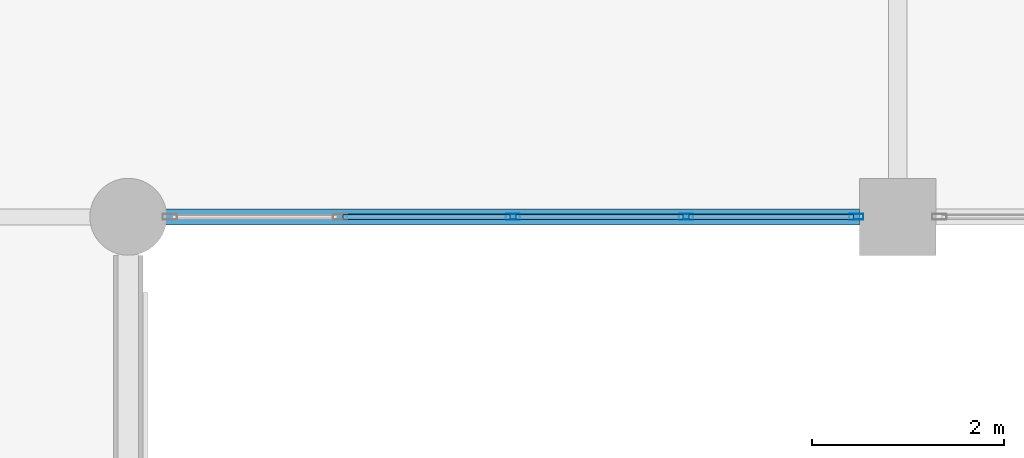
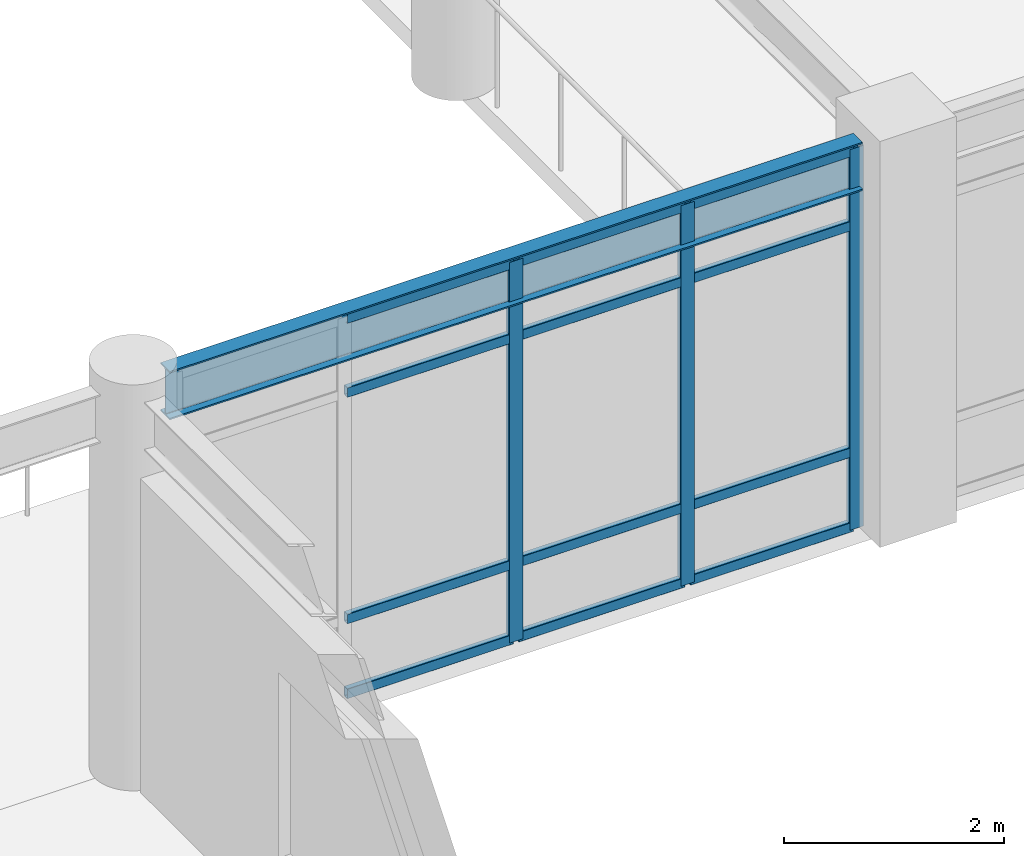
# One storey, part 23 of 93: 15 members, 1 beam, 1 element without a shape of its own.
"""IFC4 building model written with IfcOpenShell, lengths in metres."""

from ifc_helpers import new_model, si_unit, direction, frame, origin, origin_2d, place, context, subcontext, project, spatial, hollow_rectangle, i_section, extrude, material, material_profile, profile_set, type_object, element, aggregate, save


model = new_model("IFC4")

# Units and contexts
model_context = context("Model", 3, precision=1e-05, world=origin(), true_north=direction((0.0, 1.0)))
body_context = subcontext(model_context, "Body", "Model", "MODEL_VIEW")
ifc_project = project(units=[si_unit("LENGTHUNIT", "METRE"), si_unit("AREAUNIT", "SQUARE_METRE"), si_unit("VOLUMEUNIT", "CUBIC_METRE"), si_unit("PLANEANGLEUNIT", "RADIAN"), si_unit("MASSUNIT", "GRAM", prefix="KILO")], contexts=[model_context])

# Site, building, storey
site_placement = place(None, origin())
site = spatial("IfcSite", under=ifc_project, at=site_placement, CompositionType="ELEMENT")
building_placement = place(site_placement, origin())
building = spatial("IfcBuilding", under=site, at=building_placement, Name="Solmirada Galleria", CompositionType="ELEMENT")
storey_placement = place(building_placement, frame((0.0, 0.0, 14.89990234375)))
storey = spatial("IfcBuildingStorey", under=building, at=storey_placement, Name="L03", CompositionType="ELEMENT", Elevation=14.89990234375)

# Beam
ifc_material_1 = material(Name="Steel S355 / ASTM A992 Grade 50", Category="steel")
ifc_material_profile_1 = material_profile(ifc_material_1, i_section(OverallWidth=0.1669921875, OverallDepth=0.534912109375, WebThickness=0.01025390625, FlangeThickness=0.0166015625, FilletRadius=0.013916015625, at=origin_2d()), Name="W21X57")
ifc_profile_set_1 = profile_set([ifc_material_profile_1], Name="Steel S355 / ASTM A992 Grade 50")
beam_type = type_object("IfcBeamType", Name="BM-GIRD-W21C", PredefinedType="BEAM", material=ifc_profile_set_1)
beam_placement = place(storey_placement, frame((96.3359375, 48.0, 4.03271484375), z_axis=(1.0, 0.0, 0.0), x_axis=(0.0, 1.0, 0.0)))
element("IfcBeam", 1, at=beam_placement, inside=storey, type_object=beam_type, Name="Primary beam L04 X(96..104, 48)", PredefinedType="BEAM", context=body_context, shape_type="SweptSolid", body=[
    extrude(i_section(OverallWidth=0.1669921875, OverallDepth=0.534912109375, WebThickness=0.01025390625, FlangeThickness=0.0166015625, FilletRadius=0.013916015625, at=origin_2d()), origin(), (0.0, 0.0, 1.0), 7.26416015625),
])

# Curtain wall, members
ifc_material_2 = material(Name="Impact-resistant low-E double glazing", Category="glass")
curtain_wall_type = type_object("IfcCurtainWallType", Name="CW-FZ3-L03-B4-L072", PredefinedType="NOTDEFINED", material=ifc_material_2)
curtain_wall_placement = place(storey_placement, origin())
curtain_wall = element("IfcCurtainWall", 2, at=curtain_wall_placement, inside=storey, type_object=curtain_wall_type, Name="Terrace and arcade storefront CW-L03-135", PredefinedType="NOTDEFINED")
ifc_material_3 = material(Name="Anodised aluminium framing", Category="aluminium")
ifc_material_profile_2 = material_profile(ifc_material_3, hollow_rectangle(XDim=0.06005859375, YDim=0.14990234375, WallThickness=0.00341796875, InnerFilletRadius=0.00341796875, OuterFilletRadius=0.007080078125, at=origin_2d()), Name="ALU-MULL-150X60")
ifc_profile_set_2 = profile_set([ifc_material_profile_2], Name="Anodised aluminium framing")
member_type_1 = type_object("IfcMemberType", Name="CW-MULL-150", PredefinedType="MULLION", material=ifc_profile_set_2)
member_1_placement = place(storey_placement, frame((103.568115234375, 48.0, 0.0), z_axis=(0.0, 0.0, 1.0), x_axis=(0.0, -1.0, 0.0)))
member_1 = element("IfcMember", 3, at=member_1_placement, type_object=member_type_1, Name="CW27 mullion 1", PredefinedType="MULLION", context=body_context, shape_type="SweptSolid", body=[
    extrude(hollow_rectangle(XDim=0.06005859375, YDim=0.14990234375, WallThickness=0.00341796875, InnerFilletRadius=0.00341796875, OuterFilletRadius=0.007080078125, at=origin_2d()), origin(), (0.0, 0.0, 1.0), 4.22021484375),
])
member_2_placement = place(storey_placement, frame((101.799072265625, 48.0, 0.0), z_axis=(0.0, 0.0, 1.0), x_axis=(0.0, -1.0, 0.0)))
member_2 = element("IfcMember", 4, at=member_2_placement, type_object=member_type_1, Name="CW27 mullion 2", PredefinedType="MULLION", context=body_context, shape_type="SweptSolid", body=[
    extrude(hollow_rectangle(XDim=0.06005859375, YDim=0.14990234375, WallThickness=0.00341796875, InnerFilletRadius=0.00341796875, OuterFilletRadius=0.007080078125, at=origin_2d()), origin(), (0.0, 0.0, 1.0), 4.22021484375),
])
member_3_placement = place(storey_placement, frame((100.0, 48.0, 0.0), z_axis=(0.0, 0.0, 1.0), x_axis=(0.0, -1.0, 0.0)))
member_3 = element("IfcMember", 5, at=member_3_placement, type_object=member_type_1, Name="CW27 mullion 3", PredefinedType="MULLION", context=body_context, shape_type="SweptSolid", body=[
    extrude(hollow_rectangle(XDim=0.06005859375, YDim=0.14990234375, WallThickness=0.00341796875, InnerFilletRadius=0.00341796875, OuterFilletRadius=0.007080078125, at=origin_2d()), origin(), (0.0, 0.0, 1.0), 4.22021484375),
])
ifc_material_profile_3 = material_profile(ifc_material_3, hollow_rectangle(XDim=0.06005859375, YDim=0.110107421875, WallThickness=0.003173828125, InnerFilletRadius=0.003173828125, OuterFilletRadius=0.00634765625, at=origin_2d()), Name="ALU-TRAN-110X60")
ifc_profile_set_3 = profile_set([ifc_material_profile_3], Name="Anodised aluminium framing")
member_type_2 = type_object("IfcMemberType", Name="CW-TRAN-110", PredefinedType="USERDEFINED", material=ifc_profile_set_3)
member_4_placement = place(storey_placement, frame((103.5380859375, 48.0, 0.030029296875), z_axis=(-1.0, 0.0, 0.0), x_axis=(0.0, -1.0, 0.0)))
member_4 = element("IfcMember", 6, at=member_4_placement, type_object=member_type_2, Name="CW27 transom 1.1", ObjectType="TRANSOM", PredefinedType="USERDEFINED", context=body_context, shape_type="SweptSolid", body=[
    extrude(hollow_rectangle(XDim=0.06005859375, YDim=0.110107421875, WallThickness=0.003173828125, InnerFilletRadius=0.003173828125, OuterFilletRadius=0.00634765625, at=origin_2d()), origin(), (0.0, 0.0, 1.0), 1.708984375),
])
member_5_placement = place(storey_placement, frame((103.5380859375, 48.0, 0.860107421875), z_axis=(-1.0, 0.0, 0.0), x_axis=(0.0, -1.0, 0.0)))
member_5 = element("IfcMember", 7, at=member_5_placement, type_object=member_type_2, Name="CW27 transom 1.2", ObjectType="TRANSOM", PredefinedType="USERDEFINED", context=body_context, shape_type="SweptSolid", body=[
    extrude(hollow_rectangle(XDim=0.06005859375, YDim=0.110107421875, WallThickness=0.003173828125, InnerFilletRadius=0.003173828125, OuterFilletRadius=0.00634765625, at=origin_2d()), origin(), (0.0, 0.0, 1.0), 1.708984375),
])
member_6_placement = place(storey_placement, frame((103.5380859375, 48.0, 3.3701171875), z_axis=(-1.0, 0.0, 0.0), x_axis=(0.0, -1.0, 0.0)))
member_6 = element("IfcMember", 8, at=member_6_placement, type_object=member_type_2, Name="CW27 transom 1.3", ObjectType="TRANSOM", PredefinedType="USERDEFINED", context=body_context, shape_type="SweptSolid", body=[
    extrude(hollow_rectangle(XDim=0.06005859375, YDim=0.110107421875, WallThickness=0.003173828125, InnerFilletRadius=0.003173828125, OuterFilletRadius=0.00634765625, at=origin_2d()), origin(), (0.0, 0.0, 1.0), 1.708984375),
])
member_7_placement = place(storey_placement, frame((103.5380859375, 48.0, 4.190185546875), z_axis=(-1.0, 0.0, 0.0), x_axis=(0.0, -1.0, 0.0)))
member_7 = element("IfcMember", 9, at=member_7_placement, type_object=member_type_2, Name="CW27 transom 1.4", ObjectType="TRANSOM", PredefinedType="USERDEFINED", context=body_context, shape_type="SweptSolid", body=[
    extrude(hollow_rectangle(XDim=0.06005859375, YDim=0.110107421875, WallThickness=0.003173828125, InnerFilletRadius=0.003173828125, OuterFilletRadius=0.00634765625, at=origin_2d()), origin(), (0.0, 0.0, 1.0), 1.708984375),
])
member_8_placement = place(storey_placement, frame((101.76904296875, 48.0, 0.030029296875), z_axis=(-1.0, 0.0, 0.0), x_axis=(0.0, -1.0, 0.0)))
member_8 = element("IfcMember", 10, at=member_8_placement, type_object=member_type_2, Name="CW27 transom 2.1", ObjectType="TRANSOM", PredefinedType="USERDEFINED", context=body_context, shape_type="SweptSolid", body=[
    extrude(hollow_rectangle(XDim=0.06005859375, YDim=0.110107421875, WallThickness=0.003173828125, InnerFilletRadius=0.003173828125, OuterFilletRadius=0.00634765625, at=origin_2d()), origin(), (0.0, 0.0, 1.0), 1.739013671875),
])
member_9_placement = place(storey_placement, frame((101.76904296875, 48.0, 0.860107421875), z_axis=(-1.0, 0.0, 0.0), x_axis=(0.0, -1.0, 0.0)))
member_9 = element("IfcMember", 11, at=member_9_placement, type_object=member_type_2, Name="CW27 transom 2.2", ObjectType="TRANSOM", PredefinedType="USERDEFINED", context=body_context, shape_type="SweptSolid", body=[
    extrude(hollow_rectangle(XDim=0.06005859375, YDim=0.110107421875, WallThickness=0.003173828125, InnerFilletRadius=0.003173828125, OuterFilletRadius=0.00634765625, at=origin_2d()), origin(), (0.0, 0.0, 1.0), 1.739013671875),
])
member_10_placement = place(storey_placement, frame((101.76904296875, 48.0, 3.3701171875), z_axis=(-1.0, 0.0, 0.0), x_axis=(0.0, -1.0, 0.0)))
member_10 = element("IfcMember", 12, at=member_10_placement, type_object=member_type_2, Name="CW27 transom 2.3", ObjectType="TRANSOM", PredefinedType="USERDEFINED", context=body_context, shape_type="SweptSolid", body=[
    extrude(hollow_rectangle(XDim=0.06005859375, YDim=0.110107421875, WallThickness=0.003173828125, InnerFilletRadius=0.003173828125, OuterFilletRadius=0.00634765625, at=origin_2d()), origin(), (0.0, 0.0, 1.0), 1.739013671875),
])
member_11_placement = place(storey_placement, frame((101.76904296875, 48.0, 4.190185546875), z_axis=(-1.0, 0.0, 0.0), x_axis=(0.0, -1.0, 0.0)))
member_11 = element("IfcMember", 13, at=member_11_placement, type_object=member_type_2, Name="CW27 transom 2.4", ObjectType="TRANSOM", PredefinedType="USERDEFINED", context=body_context, shape_type="SweptSolid", body=[
    extrude(hollow_rectangle(XDim=0.06005859375, YDim=0.110107421875, WallThickness=0.003173828125, InnerFilletRadius=0.003173828125, OuterFilletRadius=0.00634765625, at=origin_2d()), origin(), (0.0, 0.0, 1.0), 1.739013671875),
])
member_12_placement = place(storey_placement, frame((99.969970703125, 48.0, 0.030029296875), z_axis=(-1.0, 0.0, 0.0), x_axis=(0.0, -1.0, 0.0)))
member_12 = element("IfcMember", 14, at=member_12_placement, type_object=member_type_2, Name="CW27 transom 3.1", ObjectType="TRANSOM", PredefinedType="USERDEFINED", context=body_context, shape_type="SweptSolid", body=[
    extrude(hollow_rectangle(XDim=0.06005859375, YDim=0.110107421875, WallThickness=0.003173828125, InnerFilletRadius=0.003173828125, OuterFilletRadius=0.00634765625, at=origin_2d()), origin(), (0.0, 0.0, 1.0), 1.739013671875),
])
member_13_placement = place(storey_placement, frame((99.969970703125, 48.0, 0.860107421875), z_axis=(-1.0, 0.0, 0.0), x_axis=(0.0, -1.0, 0.0)))
member_13 = element("IfcMember", 15, at=member_13_placement, type_object=member_type_2, Name="CW27 transom 3.2", ObjectType="TRANSOM", PredefinedType="USERDEFINED", context=body_context, shape_type="SweptSolid", body=[
    extrude(hollow_rectangle(XDim=0.06005859375, YDim=0.110107421875, WallThickness=0.003173828125, InnerFilletRadius=0.003173828125, OuterFilletRadius=0.00634765625, at=origin_2d()), origin(), (0.0, 0.0, 1.0), 1.739013671875),
])
member_14_placement = place(storey_placement, frame((99.969970703125, 48.0, 3.3701171875), z_axis=(-1.0, 0.0, 0.0), x_axis=(0.0, -1.0, 0.0)))
member_14 = element("IfcMember", 16, at=member_14_placement, type_object=member_type_2, Name="CW27 transom 3.3", ObjectType="TRANSOM", PredefinedType="USERDEFINED", context=body_context, shape_type="SweptSolid", body=[
    extrude(hollow_rectangle(XDim=0.06005859375, YDim=0.110107421875, WallThickness=0.003173828125, InnerFilletRadius=0.003173828125, OuterFilletRadius=0.00634765625, at=origin_2d()), origin(), (0.0, 0.0, 1.0), 1.739013671875),
])
member_15_placement = place(storey_placement, frame((99.969970703125, 48.0, 4.190185546875), z_axis=(-1.0, 0.0, 0.0), x_axis=(0.0, -1.0, 0.0)))
member_15 = element("IfcMember", 17, at=member_15_placement, type_object=member_type_2, Name="CW27 transom 3.4", ObjectType="TRANSOM", PredefinedType="USERDEFINED", context=body_context, shape_type="SweptSolid", body=[
    extrude(hollow_rectangle(XDim=0.06005859375, YDim=0.110107421875, WallThickness=0.003173828125, InnerFilletRadius=0.003173828125, OuterFilletRadius=0.00634765625, at=origin_2d()), origin(), (0.0, 0.0, 1.0), 1.739013671875),
])
aggregate(curtain_wall, [member_1, member_2, member_3, member_4, member_5, member_6, member_7, member_8, member_9, member_10, member_11, member_12, member_13, member_14, member_15])

save(model, "model.ifc")
